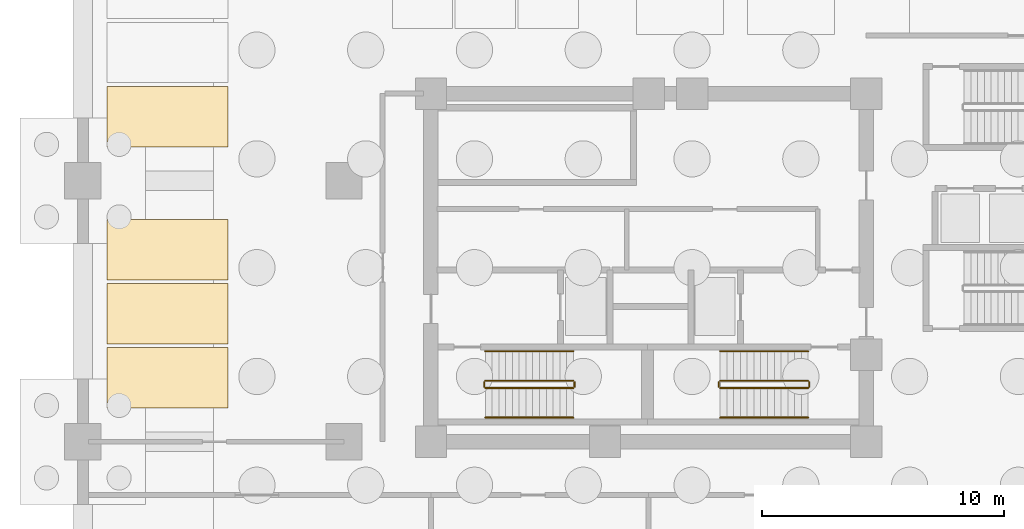
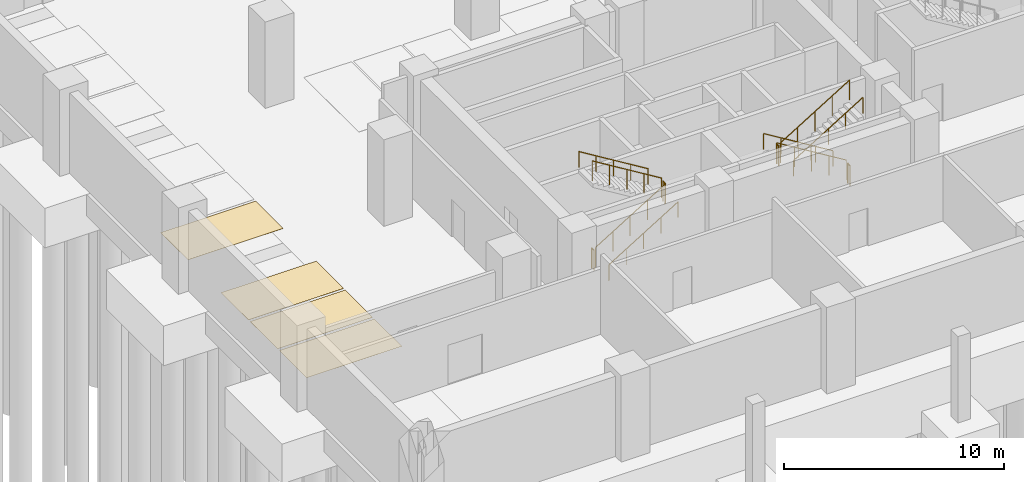
# One storey, part 6 of 9: 12 railings, 4 coverings.
"""IFC4 building model written with IfcOpenShell, lengths in metres."""

from ifc_helpers import new_model, si_unit, direction, frame, origin, origin_2d, place, context, subcontext, project, spatial, polyline, circle, outline, extrude, material, layer, layer_set, type_object, element, save


model = new_model("IFC4")

# Units and contexts
model_context = context("Model", 3, precision=1e-05, world=origin(), true_north=direction((0.0, 1.0)))
body_context = subcontext(model_context, "Body", "Model", "MODEL_VIEW")
ifc_project = project(units=[si_unit("LENGTHUNIT", "METRE"), si_unit("AREAUNIT", "SQUARE_METRE"), si_unit("VOLUMEUNIT", "CUBIC_METRE"), si_unit("PLANEANGLEUNIT", "RADIAN"), si_unit("MASSUNIT", "GRAM", prefix="KILO")], contexts=[model_context])

# Site, building, storey
site_placement = place(None, origin())
site = spatial("IfcSite", under=ifc_project, at=site_placement, CompositionType="ELEMENT")
building_placement = place(site_placement, origin())
building = spatial("IfcBuilding", under=site, at=building_placement, Name="Solnavia Interchange Tower", CompositionType="ELEMENT")
storey_placement = place(building_placement, frame((0.0, 0.0, -9.60009765625)))
storey = spatial("IfcBuildingStorey", under=building, at=storey_placement, Name="B02", CompositionType="ELEMENT", Elevation=-9.60009765625)

# Coverings
ifc_material_1 = material(Name="Epoxy Car Park Bay Marking", Category="polymer")
ifc_layer = layer(ifc_material_1, 0.0048828125)
ifc_layer_set = layer_set([ifc_layer], Name="Epoxy Car Park Bay Marking")
covering_type = type_object("IfcCoveringType", Name="Covering-ParkingBay-5", PredefinedType="FLOORING", material=ifc_layer_set)
covering_1_placement = place(storey_placement, origin())
element("IfcCovering", 1, at=covering_1_placement, inside=storey, type_object=covering_type, Name="PKB-B02-W01 Standard parking bay", PredefinedType="FLOORING", context=body_context, shape_type="SweptSolid", body=[
    extrude(outline(polyline([(1.0, 12.199951171875), (6.0, 12.199951171875), (6.0, 14.699951171875), (1.0, 14.699951171875), (1.0, 12.199951171875)])), origin(), (0.0, 0.0, 1.0), 0.005126953125),
])
covering_2_placement = place(storey_placement, origin())
element("IfcCovering", 2, at=covering_2_placement, inside=storey, type_object=covering_type, Name="PKB-B02-W02 Standard parking bay", PredefinedType="FLOORING", context=body_context, shape_type="SweptSolid", body=[
    extrude(outline(polyline([(1.0, 14.85009765625), (6.0, 14.85009765625), (6.0, 17.35009765625), (1.0, 17.35009765625), (1.0, 14.85009765625)])), origin(), (0.0, 0.0, 1.0), 0.005126953125),
])
covering_3_placement = place(storey_placement, origin())
element("IfcCovering", 3, at=covering_3_placement, inside=storey, type_object=covering_type, Name="PKB-B02-W03 Standard parking bay", PredefinedType="FLOORING", context=body_context, shape_type="SweptSolid", body=[
    extrude(outline(polyline([(1.0, 17.5), (6.0, 17.5), (6.0, 20.0), (1.0, 20.0), (1.0, 17.5)])), origin(), (0.0, 0.0, 1.0), 0.005126953125),
])
covering_4_placement = place(storey_placement, origin())
element("IfcCovering", 4, at=covering_4_placement, inside=storey, type_object=covering_type, Name="PKB-B02-W04 Standard parking bay", PredefinedType="FLOORING", context=body_context, shape_type="SweptSolid", body=[
    extrude(outline(polyline([(1.0, 23.0), (6.0, 23.0), (6.0, 25.5), (1.0, 25.5), (1.0, 23.0)])), origin(), (0.0, 0.0, 1.0), 0.005126953125),
])

# Railings
ifc_material_2 = material(Name="Painted Steel Balustrade", Category="steel")
railing_type_1 = type_object("IfcRailingType", Name="Railing-StairGuard-1100", PredefinedType="GUARDRAIL", material=ifc_material_2)
railing_1_placement = place(storey_placement, frame((16.64990234375, 13.02001953125, 0.171630859375)))
element("IfcRailing", 5, at=railing_1_placement, inside=storey, type_object=railing_type_1, Name="B02 ST-1 stair guard 1", PredefinedType="GUARDRAIL", context=body_context, shape_type="SweptSolid", body=[
    extrude(circle(Radius=0.02392578125, at=origin_2d()), frame((0.0, 0.0, 1.09619140625), z_axis=(0.852865859571, 0.0, 0.52213008492), x_axis=(0.0, 1.0, 0.0)), (0.0, 0.0, 1.0), 4.26806640625),
    extrude(circle(Radius=0.02099609375, at=origin_2d()), origin(), (0.0, 0.0, 1.0), 1.072021484375),
    extrude(circle(Radius=0.02099609375, at=origin_2d()), frame((0.91015625, 0.0, 0.55712890625)), (0.0, 0.0, 1.0), 1.072021484375),
    extrude(circle(Radius=0.02099609375, at=origin_2d()), frame((1.820068359375, 0.0, 1.1142578125)), (0.0, 0.0, 1.0), 1.072021484375),
    extrude(circle(Radius=0.02099609375, at=origin_2d()), frame((2.72998046875, 0.0, 1.67138671875)), (0.0, 0.0, 1.0), 1.072021484375),
    extrude(circle(Radius=0.02099609375, at=origin_2d()), frame((3.64013671875, 0.0, 2.228515625)), (0.0, 0.0, 1.0), 1.072021484375),
])
railing_2_placement = place(storey_placement, frame((20.340087890625, 13.070068359375, 2.400146484375)))
element("IfcRailing", 6, at=railing_2_placement, inside=storey, type_object=railing_type_1, Name="B02 ST-1 stair guard 2", PredefinedType="GUARDRAIL", context=body_context, shape_type="SweptSolid", body=[
    extrude(circle(Radius=0.02392578125, at=origin_2d()), frame((0.0, 0.0, 1.09619140625), z_axis=(0.0, 1.0, 0.0), x_axis=(-1.0, 0.0, 0.0)), (0.0, 0.0, 1.0), 0.199951171875),
    extrude(circle(Radius=0.02099609375, at=origin_2d()), origin(), (0.0, 0.0, 1.0), 1.072021484375),
    extrude(circle(Radius=0.02099609375, at=origin_2d()), frame((0.0, 0.199951171875, 0.0)), (0.0, 0.0, 1.0), 1.072021484375),
])
railing_3_placement = place(storey_placement, frame((20.2900390625, 13.320068359375, 2.571533203125)))
element("IfcRailing", 7, at=railing_3_placement, inside=storey, type_object=railing_type_1, Name="B02 ST-1 stair guard 3", PredefinedType="GUARDRAIL", context=body_context, shape_type="SweptSolid", body=[
    extrude(circle(Radius=0.02392578125, at=origin_2d()), frame((0.0, 0.0, 1.09619140625), z_axis=(-0.852865859571, 0.0, 0.52213008492), x_axis=(0.0, -1.0, 0.0)), (0.0, 0.0, 1.0), 4.26806640625),
    extrude(circle(Radius=0.02099609375, at=origin_2d()), origin(), (0.0, 0.0, 1.0), 1.072021484375),
    extrude(circle(Radius=0.02099609375, at=origin_2d()), frame((-0.91015625, 0.0, 0.55712890625)), (0.0, 0.0, 1.0), 1.072021484375),
    extrude(circle(Radius=0.02099609375, at=origin_2d()), frame((-1.820068359375, 0.0, 1.1142578125)), (0.0, 0.0, 1.0), 1.072021484375),
    extrude(circle(Radius=0.02099609375, at=origin_2d()), frame((-2.72998046875, 0.0, 1.67138671875)), (0.0, 0.0, 1.0), 1.072021484375),
    extrude(circle(Radius=0.02099609375, at=origin_2d()), frame((-3.64013671875, 0.0, 2.228515625)), (0.0, 0.0, 1.0), 1.072021484375),
])
railing_4_placement = place(storey_placement, frame((16.60009765625, 13.070068359375, 0.0)))
element("IfcRailing", 8, at=railing_4_placement, inside=storey, type_object=railing_type_1, Name="B02 ST-1 stair guard 4", PredefinedType="GUARDRAIL", context=body_context, shape_type="SweptSolid", body=[
    extrude(circle(Radius=0.02392578125, at=origin_2d()), frame((0.0, 0.0, 1.09619140625), z_axis=(0.0, 1.0, 0.0), x_axis=(-1.0, 0.0, 0.0)), (0.0, 0.0, 1.0), 0.199951171875),
    extrude(circle(Radius=0.02099609375, at=origin_2d()), origin(), (0.0, 0.0, 1.0), 1.072021484375),
    extrude(circle(Radius=0.02099609375, at=origin_2d()), frame((0.0, 0.199951171875, 0.0)), (0.0, 0.0, 1.0), 1.072021484375),
])
railing_5_placement = place(storey_placement, frame((30.0, 13.320068359375, 0.171630859375)))
element("IfcRailing", 9, at=railing_5_placement, inside=storey, type_object=railing_type_1, Name="B02 ST-2 stair guard 1", PredefinedType="GUARDRAIL", context=body_context, shape_type="SweptSolid", body=[
    extrude(circle(Radius=0.02392578125, at=origin_2d()), frame((0.0, 0.0, 1.09619140625), z_axis=(-0.852850264322, 0.0, 0.5221555579), x_axis=(0.0, -1.0, 0.0)), (0.0, 0.0, 1.0), 4.267822265625),
    extrude(circle(Radius=0.02099609375, at=origin_2d()), origin(), (0.0, 0.0, 1.0), 1.072021484375),
    extrude(circle(Radius=0.02099609375, at=origin_2d()), frame((-0.909912109375, 0.0, 0.55712890625)), (0.0, 0.0, 1.0), 1.072021484375),
    extrude(circle(Radius=0.02099609375, at=origin_2d()), frame((-1.81982421875, 0.0, 1.1142578125)), (0.0, 0.0, 1.0), 1.072021484375),
    extrude(circle(Radius=0.02099609375, at=origin_2d()), frame((-2.72998046875, 0.0, 1.67138671875)), (0.0, 0.0, 1.0), 1.072021484375),
    extrude(circle(Radius=0.02099609375, at=origin_2d()), frame((-3.639892578125, 0.0, 2.228515625)), (0.0, 0.0, 1.0), 1.072021484375),
])
railing_6_placement = place(storey_placement, frame((26.31005859375, 13.27001953125, 2.400146484375)))
element("IfcRailing", 10, at=railing_6_placement, inside=storey, type_object=railing_type_1, Name="B02 ST-2 stair guard 2", PredefinedType="GUARDRAIL", context=body_context, shape_type="SweptSolid", body=[
    extrude(circle(Radius=0.02392578125, at=origin_2d()), frame((0.0, 0.0, 1.09619140625), z_axis=(0.0, -1.0, 0.0), x_axis=(1.0, 0.0, 0.0)), (0.0, 0.0, 1.0), 0.199951171875),
    extrude(circle(Radius=0.02099609375, at=origin_2d()), origin(), (0.0, 0.0, 1.0), 1.072021484375),
    extrude(circle(Radius=0.02099609375, at=origin_2d()), frame((0.0, -0.199951171875, 0.0)), (0.0, 0.0, 1.0), 1.072021484375),
])
railing_7_placement = place(storey_placement, frame((26.360107421875, 13.02001953125, 2.571533203125)))
element("IfcRailing", 11, at=railing_7_placement, inside=storey, type_object=railing_type_1, Name="B02 ST-2 stair guard 3", PredefinedType="GUARDRAIL", context=body_context, shape_type="SweptSolid", body=[
    extrude(circle(Radius=0.02392578125, at=origin_2d()), frame((0.0, 0.0, 1.09619140625), z_axis=(0.852850264322, 0.0, 0.5221555579), x_axis=(0.0, 1.0, 0.0)), (0.0, 0.0, 1.0), 4.267822265625),
    extrude(circle(Radius=0.02099609375, at=origin_2d()), origin(), (0.0, 0.0, 1.0), 1.072021484375),
    extrude(circle(Radius=0.02099609375, at=origin_2d()), frame((0.909912109375, 0.0, 0.55712890625)), (0.0, 0.0, 1.0), 1.072021484375),
    extrude(circle(Radius=0.02099609375, at=origin_2d()), frame((1.81982421875, 0.0, 1.1142578125)), (0.0, 0.0, 1.0), 1.072021484375),
    extrude(circle(Radius=0.02099609375, at=origin_2d()), frame((2.72998046875, 0.0, 1.67138671875)), (0.0, 0.0, 1.0), 1.072021484375),
    extrude(circle(Radius=0.02099609375, at=origin_2d()), frame((3.639892578125, 0.0, 2.228515625)), (0.0, 0.0, 1.0), 1.072021484375),
])
railing_8_placement = place(storey_placement, frame((30.050048828125, 13.27001953125, 0.0)))
element("IfcRailing", 12, at=railing_8_placement, inside=storey, type_object=railing_type_1, Name="B02 ST-2 stair guard 4", PredefinedType="GUARDRAIL", context=body_context, shape_type="SweptSolid", body=[
    extrude(circle(Radius=0.02392578125, at=origin_2d()), frame((0.0, 0.0, 1.09619140625), z_axis=(0.0, -1.0, 0.0), x_axis=(1.0, 0.0, 0.0)), (0.0, 0.0, 1.0), 0.199951171875),
    extrude(circle(Radius=0.02099609375, at=origin_2d()), origin(), (0.0, 0.0, 1.0), 1.072021484375),
    extrude(circle(Radius=0.02099609375, at=origin_2d()), frame((0.0, -0.199951171875, 0.0)), (0.0, 0.0, 1.0), 1.072021484375),
])
ifc_material_3 = material(Name="Brushed Stainless Steel", Category="steel")
railing_type_2 = type_object("IfcRailingType", Name="Railing-StairHandrail-900", PredefinedType="HANDRAIL", material=ifc_material_3)
railing_9_placement = place(storey_placement, frame((16.64990234375, 11.800048828125, 0.171630859375)))
element("IfcRailing", 13, at=railing_9_placement, inside=storey, type_object=railing_type_2, Name="B02 ST-1 stair handrail 1", PredefinedType="HANDRAIL", context=body_context, shape_type="SweptSolid", body=[
    extrude(circle(Radius=0.02392578125, at=origin_2d()), frame((0.0, 0.0, 0.8759765625), z_axis=(0.852865859571, 0.0, 0.52213008492), x_axis=(0.0, 1.0, 0.0)), (0.0, 0.0, 1.0), 4.26806640625),
    extrude(circle(Radius=0.02099609375, at=origin_2d()), origin(), (0.0, 0.0, 1.0), 0.851806640625),
    extrude(circle(Radius=0.02099609375, at=origin_2d()), frame((0.91015625, 0.0, 0.55712890625)), (0.0, 0.0, 1.0), 0.851806640625),
    extrude(circle(Radius=0.02099609375, at=origin_2d()), frame((1.820068359375, 0.0, 1.1142578125)), (0.0, 0.0, 1.0), 0.851806640625),
    extrude(circle(Radius=0.02099609375, at=origin_2d()), frame((2.72998046875, 0.0, 1.67138671875)), (0.0, 0.0, 1.0), 0.851806640625),
    extrude(circle(Radius=0.02099609375, at=origin_2d()), frame((3.64013671875, 0.0, 2.228515625)), (0.0, 0.0, 1.0), 0.851806640625),
])
railing_10_placement = place(storey_placement, frame((20.2900390625, 14.5400390625, 2.571533203125)))
element("IfcRailing", 14, at=railing_10_placement, inside=storey, type_object=railing_type_2, Name="B02 ST-1 stair handrail 2", PredefinedType="HANDRAIL", context=body_context, shape_type="SweptSolid", body=[
    extrude(circle(Radius=0.02392578125, at=origin_2d()), frame((0.0, 0.0, 0.8759765625), z_axis=(-0.852865859571, 0.0, 0.52213008492), x_axis=(0.0, -1.0, 0.0)), (0.0, 0.0, 1.0), 4.26806640625),
    extrude(circle(Radius=0.02099609375, at=origin_2d()), origin(), (0.0, 0.0, 1.0), 0.851806640625),
    extrude(circle(Radius=0.02099609375, at=origin_2d()), frame((-0.91015625, 0.0, 0.55712890625)), (0.0, 0.0, 1.0), 0.851806640625),
    extrude(circle(Radius=0.02099609375, at=origin_2d()), frame((-1.820068359375, 0.0, 1.1142578125)), (0.0, 0.0, 1.0), 0.851806640625),
    extrude(circle(Radius=0.02099609375, at=origin_2d()), frame((-2.72998046875, 0.0, 1.67138671875)), (0.0, 0.0, 1.0), 0.851806640625),
    extrude(circle(Radius=0.02099609375, at=origin_2d()), frame((-3.64013671875, 0.0, 2.228515625)), (0.0, 0.0, 1.0), 0.851806640625),
])
railing_11_placement = place(storey_placement, frame((30.0, 14.5400390625, 0.171630859375)))
element("IfcRailing", 15, at=railing_11_placement, inside=storey, type_object=railing_type_2, Name="B02 ST-2 stair handrail 1", PredefinedType="HANDRAIL", context=body_context, shape_type="SweptSolid", body=[
    extrude(circle(Radius=0.02392578125, at=origin_2d()), frame((0.0, 0.0, 0.8759765625), z_axis=(-0.852850264322, 0.0, 0.5221555579), x_axis=(0.0, -1.0, 0.0)), (0.0, 0.0, 1.0), 4.267822265625),
    extrude(circle(Radius=0.02099609375, at=origin_2d()), origin(), (0.0, 0.0, 1.0), 0.851806640625),
    extrude(circle(Radius=0.02099609375, at=origin_2d()), frame((-0.909912109375, 0.0, 0.55712890625)), (0.0, 0.0, 1.0), 0.851806640625),
    extrude(circle(Radius=0.02099609375, at=origin_2d()), frame((-1.81982421875, 0.0, 1.1142578125)), (0.0, 0.0, 1.0), 0.851806640625),
    extrude(circle(Radius=0.02099609375, at=origin_2d()), frame((-2.72998046875, 0.0, 1.67138671875)), (0.0, 0.0, 1.0), 0.851806640625),
    extrude(circle(Radius=0.02099609375, at=origin_2d()), frame((-3.639892578125, 0.0, 2.228515625)), (0.0, 0.0, 1.0), 0.851806640625),
])
railing_12_placement = place(storey_placement, frame((26.360107421875, 11.800048828125, 2.571533203125)))
element("IfcRailing", 16, at=railing_12_placement, inside=storey, type_object=railing_type_2, Name="B02 ST-2 stair handrail 2", PredefinedType="HANDRAIL", context=body_context, shape_type="SweptSolid", body=[
    extrude(circle(Radius=0.02392578125, at=origin_2d()), frame((0.0, 0.0, 0.8759765625), z_axis=(0.852850264322, 0.0, 0.5221555579), x_axis=(0.0, 1.0, 0.0)), (0.0, 0.0, 1.0), 4.267822265625),
    extrude(circle(Radius=0.02099609375, at=origin_2d()), origin(), (0.0, 0.0, 1.0), 0.851806640625),
    extrude(circle(Radius=0.02099609375, at=origin_2d()), frame((0.909912109375, 0.0, 0.55712890625)), (0.0, 0.0, 1.0), 0.851806640625),
    extrude(circle(Radius=0.02099609375, at=origin_2d()), frame((1.81982421875, 0.0, 1.1142578125)), (0.0, 0.0, 1.0), 0.851806640625),
    extrude(circle(Radius=0.02099609375, at=origin_2d()), frame((2.72998046875, 0.0, 1.67138671875)), (0.0, 0.0, 1.0), 0.851806640625),
    extrude(circle(Radius=0.02099609375, at=origin_2d()), frame((3.639892578125, 0.0, 2.228515625)), (0.0, 0.0, 1.0), 0.851806640625),
])

save(model, "model.ifc")
